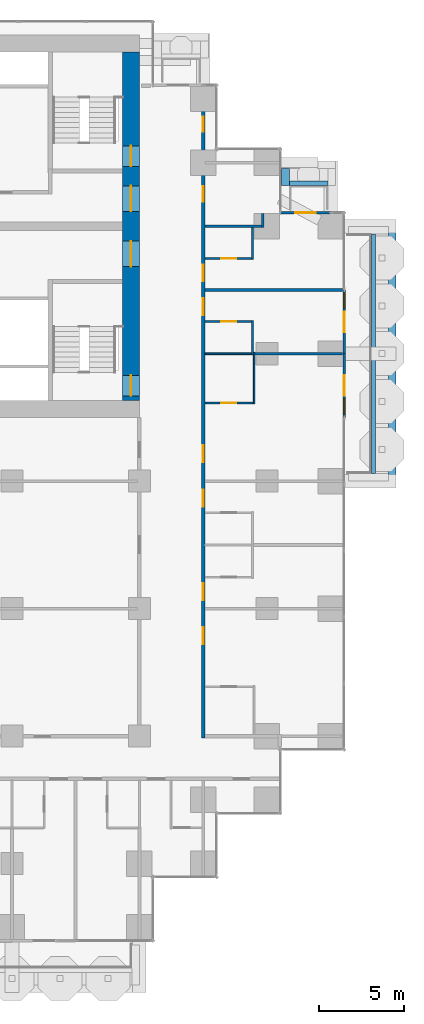
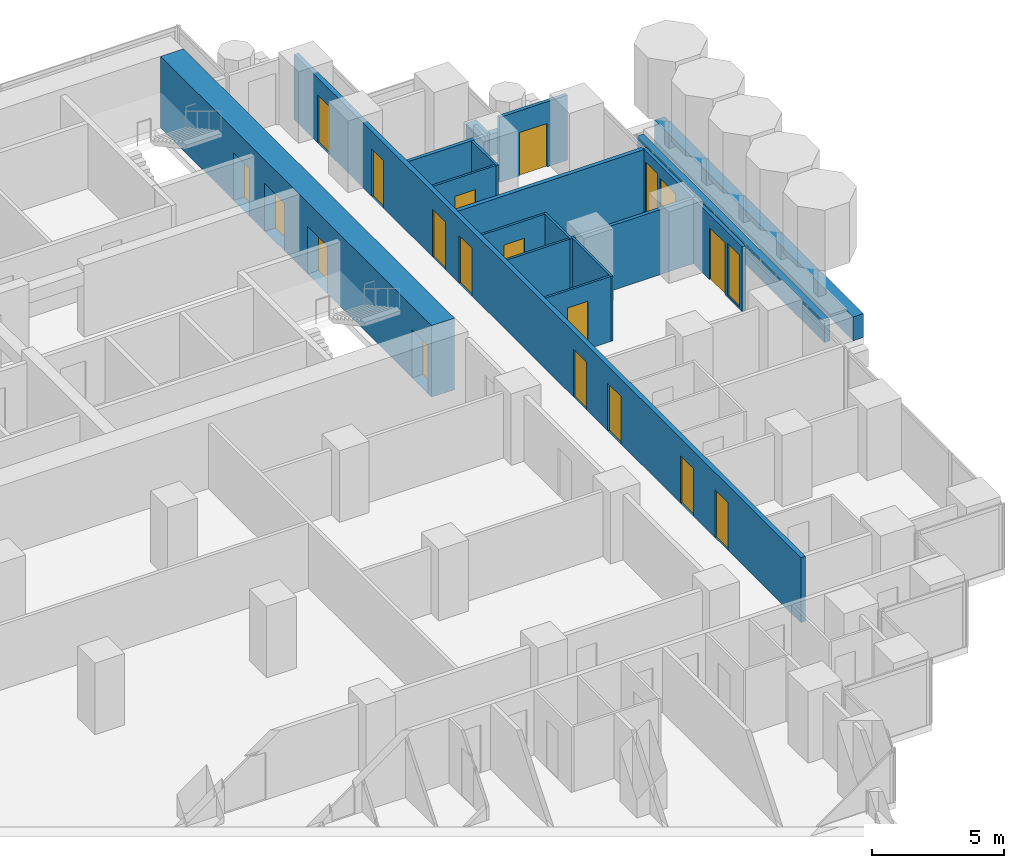
# One storey, part 16 of 20: 20 walls, 18 doors, 2 windows, 20 openings.
"""IFC4 building model written with IfcOpenShell, lengths in metres."""

from ifc_helpers import new_model, si_unit, direction, frame, frame_2d, origin, place, context, subcontext, project, spatial, rectangle, extrude, material, layer, layer_set, type_object, element, fill, save


model = new_model("IFC4")

# Units and contexts
model_context = context("Model", 3, precision=1e-05, world=origin(), true_north=direction((0.0, 1.0)))
body_context = subcontext(model_context, "Body", "Model", "MODEL_VIEW")
ifc_project = project(units=[si_unit("LENGTHUNIT", "METRE"), si_unit("AREAUNIT", "SQUARE_METRE"), si_unit("VOLUMEUNIT", "CUBIC_METRE"), si_unit("PLANEANGLEUNIT", "RADIAN"), si_unit("MASSUNIT", "GRAM", prefix="KILO")], contexts=[model_context])

# Site, building, storey
site_placement = place(None, origin())
site = spatial("IfcSite", under=ifc_project, at=site_placement, CompositionType="ELEMENT")
building_placement = place(site_placement, origin())
building = spatial("IfcBuilding", under=site, at=building_placement, Name="Pilkhan Gate Tower", CompositionType="ELEMENT")
storey_placement = place(building_placement, frame((0.0, 0.0, 85.699951171875)))
storey = spatial("IfcBuildingStorey", under=building, at=storey_placement, Name="L20", CompositionType="ELEMENT", Elevation=85.699951171875)

# Walls
ifc_material_1 = material(Name="Dense blockwork", Category="masonry")
ifc_layer_1 = layer(ifc_material_1, 0.175048828125)
ifc_layer_set_1 = layer_set([ifc_layer_1], Name="Acoustic party wall PW175")
wall_type_1 = type_object("IfcWallType", Name="Acoustic party wall PW175", PredefinedType="PARTITIONING", material=ifc_layer_set_1)
wall_1_placement = place(storey_placement, frame((93.85009765625, 78.75, 0.0), z_axis=(0.0, 0.0, 1.0), x_axis=(1.0, 0.0, 0.0)))
element("IfcWall", 1, at=wall_1_placement, inside=storey, type_object=wall_type_1, Name="Partition L20", PredefinedType="PARTITIONING", context=body_context, shape_type="SweptSolid", body=[
    extrude(rectangle(XDim=8.10986328125, YDim=0.175048828125, at=frame_2d((4.054931640625, 0.0))), origin(), (0.0, 0.0, 1.0), 3.0),
])
ifc_material_2 = material(Name="Concrete C40/50", Category="concrete")
ifc_layer_2 = layer(ifc_material_2, 0.25)
ifc_layer_set_2 = layer_set([ifc_layer_2], Name="Balcony planter BP250")
wall_type_2 = type_object("IfcWallType", Name="Balcony planter BP250", PredefinedType="USERDEFINED", material=ifc_layer_set_2)
wall_2_placement = place(storey_placement, frame((103.77490234375, 67.949951171875, 0.0), z_axis=(0.0, 0.0, 1.0), x_axis=(0.0, 1.0, 0.0)))
element("IfcWall", 2, at=wall_2_placement, inside=storey, type_object=wall_type_2, Name="Balcony planter L20 E", ObjectType="BALCONY PLANTER", PredefinedType="USERDEFINED", context=body_context, shape_type="SweptSolid", body=[
    extrude(rectangle(XDim=14.10009765625, YDim=0.25, at=frame_2d((7.050048828125, 0.0))), origin(), (0.0, 0.0, 1.0), 1.0),
])
wall_3_placement = place(storey_placement, frame((98.820068359375, 85.02490234375, 0.0), z_axis=(0.0, 0.0, 1.0), x_axis=(1.0, 0.0, 0.0)))
element("IfcWall", 3, at=wall_3_placement, inside=storey, type_object=wall_type_2, Name="Balcony planter L20 N", ObjectType="BALCONY PLANTER", PredefinedType="USERDEFINED", context=body_context, shape_type="SweptSolid", body=[
    extrude(rectangle(XDim=2.280029296875, YDim=0.25, at=frame_2d((1.14013671875, 0.0))), origin(), (0.0, 0.0, 1.0), 1.0),
])
ifc_material_3 = material(Name="Board-marked Concrete C40/50", Category="concrete")
ifc_layer_3 = layer(ifc_material_3, 0.449951171875)
ifc_layer_set_3 = layer_set([ifc_layer_3], Name="Balcony planter lip BL450")
wall_type_3 = type_object("IfcWallType", Name="Balcony planter lip BL450", PredefinedType="USERDEFINED", material=ifc_layer_set_3)
wall_4_placement = place(storey_placement, frame((104.875, 67.5, 0.0), z_axis=(0.0, 0.0, 1.0), x_axis=(0.0, 1.0, 0.0)))
element("IfcWall", 4, at=wall_4_placement, inside=storey, type_object=wall_type_3, Name="Balcony planter L20 E", ObjectType="BALCONY PLANTER", PredefinedType="USERDEFINED", context=body_context, shape_type="SweptSolid", body=[
    extrude(rectangle(XDim=15.0, YDim=0.449951171875, at=frame_2d((7.5, 0.0))), origin(), (0.0, 0.0, 1.0), 1.10009765625),
])
wall_5_placement = place(storey_placement, frame((98.594970703125, 84.89990234375, 0.0), z_axis=(0.0, 0.0, 1.0), x_axis=(0.0, 1.0, 0.0)))
element("IfcWall", 5, at=wall_5_placement, inside=storey, type_object=wall_type_3, Name="Balcony planter L20 N", ObjectType="BALCONY PLANTER", PredefinedType="USERDEFINED", context=body_context, shape_type="SweptSolid", body=[
    extrude(rectangle(XDim=1.0, YDim=0.449951171875, at=frame_2d((0.5, 0.0))), origin(), (0.0, 0.0, 1.0), 1.10009765625),
])

# Wall, openings, doors
ifc_material_4 = material(Name="Concrete C70/85", Category="concrete")
ifc_layer_4 = layer(ifc_material_4, 1.0)
ifc_layer_set_4 = layer_set([ifc_layer_4], Name="Core wall CW1000 C70/85")
wall_type_4 = type_object("IfcWallType", Name="Core wall CW1000 C70/85", PredefinedType="SHEAR", material=ifc_layer_set_4)
wall_6_placement = place(storey_placement, frame((89.5, 72.25, 0.0), z_axis=(0.0, 0.0, 1.0), x_axis=(0.0, 1.0, 0.0)))
wall_6 = element("IfcWall", 6, at=wall_6_placement, inside=storey, type_object=wall_type_4, Name="Core wall E L20", PredefinedType="SHEAR", context=body_context, shape_type="SweptSolid", body=[
    extrude(rectangle(XDim=20.5, YDim=1.0, at=frame_2d((10.25, 0.0))), origin(), (0.0, 0.0, 1.0), 3.300048828125),
])
opening_1_placement = place(wall_6_placement, frame((0.27490234375, 0.0, 0.0)))
opening_1 = element("IfcOpeningElement", 7, at=opening_1_placement, cuts=wall_6, Name="Opening L20-03", PredefinedType="OPENING", context=body_context, shape_type="SweptSolid", body=[
    extrude(rectangle(XDim=1.199951171875, YDim=2.199951171875, at=frame_2d((0.60009765625, 1.10009765625))), frame((0.0, 0.510009765625, 0.0), z_axis=(0.0, -1.0, 0.0), x_axis=(1.0, 0.0, 0.0)), (0.0, 0.0, 1.0), 1.02001953125),
])
opening_2_placement = place(wall_6_placement, frame((13.77490234375, 0.0, 0.0)))
opening_2 = element("IfcOpeningElement", 8, at=opening_2_placement, cuts=wall_6, Name="Opening L20-05", PredefinedType="OPENING", context=body_context, shape_type="SweptSolid", body=[
    extrude(rectangle(XDim=1.199951171875, YDim=2.199951171875, at=frame_2d((0.60009765625, 1.10009765625))), frame((0.0, 0.510009765625, 0.0), z_axis=(0.0, -1.0, 0.0), x_axis=(1.0, 0.0, 0.0)), (0.0, 0.0, 1.0), 1.02001953125),
])
opening_3_placement = place(wall_6_placement, frame((7.875, 0.0, 0.0)))
opening_3 = element("IfcOpeningElement", 9, at=opening_3_placement, cuts=wall_6, Name="Opening L20-54", PredefinedType="OPENING", context=body_context, shape_type="SweptSolid", body=[
    extrude(rectangle(XDim=1.5, YDim=2.199951171875, at=frame_2d((0.75, 1.10009765625))), frame((0.0, 0.510009765625, 0.0), z_axis=(0.0, -1.0, 0.0), x_axis=(1.0, 0.0, 0.0)), (0.0, 0.0, 1.0), 1.02001953125),
])
opening_4_placement = place(wall_6_placement, frame((11.125, 0.0, 0.0)))
opening_4 = element("IfcOpeningElement", 10, at=opening_4_placement, cuts=wall_6, Name="Opening L20-56", PredefinedType="OPENING", context=body_context, shape_type="SweptSolid", body=[
    extrude(rectangle(XDim=1.5, YDim=2.199951171875, at=frame_2d((0.75, 1.10009765625))), frame((0.0, 0.510009765625, 0.0), z_axis=(0.0, -1.0, 0.0), x_axis=(1.0, 0.0, 0.0)), (0.0, 0.0, 1.0), 1.02001953125),
])
ifc_material_5 = material(Name="Steel framed glazed door, 60 minute fire resisting", Category="steel")
door_type_1 = type_object("IfcDoorType", Name="Lobby door D09 1500x2200", OperationType="DOUBLE_DOOR_SINGLE_SWING", PredefinedType="DOOR", material=ifc_material_5)
door_1_placement = place(opening_3_placement, origin())
door_1 = element("IfcDoor", 11, at=door_1_placement, inside=storey, type_object=door_type_1, Name="Core door", OperationType="DOUBLE_DOOR_SINGLE_SWING", OverallHeight=2.199951171875, OverallWidth=1.5, PredefinedType="DOOR", context=body_context, shape_type="SweptSolid", body=[
    extrude(rectangle(XDim=1.5, YDim=2.199951171875, at=frame_2d((0.75, 1.10009765625))), frame((0.0, 0.02490234375, 0.0), z_axis=(0.0, -1.0, 0.0), x_axis=(1.0, 0.0, 0.0)), (0.0, 0.0, 1.0), 0.050048828125),
])
fill(opening_3, door_1)
door_2_placement = place(opening_4_placement, origin())
door_2 = element("IfcDoor", 12, at=door_2_placement, inside=storey, type_object=door_type_1, Name="Core door", OperationType="DOUBLE_DOOR_SINGLE_SWING", OverallHeight=2.199951171875, OverallWidth=1.5, PredefinedType="DOOR", context=body_context, shape_type="SweptSolid", body=[
    extrude(rectangle(XDim=1.5, YDim=2.199951171875, at=frame_2d((0.75, 1.10009765625))), frame((0.0, 0.02490234375, 0.0), z_axis=(0.0, -1.0, 0.0), x_axis=(1.0, 0.0, 0.0)), (0.0, 0.0, 1.0), 0.050048828125),
])
fill(opening_4, door_2)
ifc_material_6 = material(Name="Steel door, 120 minute fire resisting, panic bar", Category="steel")
door_type_2 = type_object("IfcDoorType", Name="Stair door D11 1200x2200", OperationType="SINGLE_SWING_LEFT", PredefinedType="DOOR", material=ifc_material_6)
door_3_placement = place(opening_1_placement, origin())
door_3 = element("IfcDoor", 13, at=door_3_placement, inside=storey, type_object=door_type_2, Name="Stair ST1 door", OperationType="SINGLE_SWING_RIGHT", OverallHeight=2.199951171875, OverallWidth=1.199951171875, PredefinedType="DOOR", context=body_context, shape_type="SweptSolid", body=[
    extrude(rectangle(XDim=1.199951171875, YDim=2.199951171875, at=frame_2d((0.60009765625, 1.10009765625))), frame((0.0, 0.02490234375, 0.0), z_axis=(0.0, -1.0, 0.0), x_axis=(1.0, 0.0, 0.0)), (0.0, 0.0, 1.0), 0.050048828125),
])
fill(opening_1, door_3)
door_4_placement = place(opening_2_placement, origin())
door_4 = element("IfcDoor", 14, at=door_4_placement, inside=storey, type_object=door_type_2, Name="Stair ST4 door", OperationType="SINGLE_SWING_LEFT", OverallHeight=2.199951171875, OverallWidth=1.199951171875, PredefinedType="DOOR", context=body_context, shape_type="SweptSolid", body=[
    extrude(rectangle(XDim=1.199951171875, YDim=2.199951171875, at=frame_2d((0.60009765625, 1.10009765625))), frame((0.0, 0.02490234375, 0.0), z_axis=(0.0, -1.0, 0.0), x_axis=(1.0, 0.0, 0.0)), (0.0, 0.0, 1.0), 0.050048828125),
])
fill(opening_2, door_4)

ifc_layer_5 = layer(ifc_material_1, 0.199951171875)
ifc_layer_set_5 = layer_set([ifc_layer_5], Name="Corridor wall FW200")
wall_type_5 = type_object("IfcWallType", Name="Corridor wall FW200", PredefinedType="PARTITIONING", material=ifc_layer_set_5)
wall_7_placement = place(storey_placement, frame((93.75, 52.39990234375, 0.0), z_axis=(0.0, 0.0, 1.0), x_axis=(0.0, 1.0, 0.0)))
wall_7 = element("IfcWall", 15, at=wall_7_placement, inside=storey, type_object=wall_type_5, Name="Partition L20", PredefinedType="PARTITIONING", context=body_context, shape_type="SweptSolid", body=[
    extrude(rectangle(XDim=38.31005859375, YDim=0.199951171875, at=frame_2d((19.155029296875, 0.0))), origin(), (0.0, 0.0, 1.0), 3.0),
])
opening_5_placement = place(wall_7_placement, frame((5.5, 0.0, 0.0)))
opening_5 = element("IfcOpeningElement", 16, at=opening_5_placement, cuts=wall_7, Name="Opening L20-42", PredefinedType="OPENING", context=body_context, shape_type="SweptSolid", body=[
    extrude(rectangle(XDim=1.0, YDim=2.199951171875, at=frame_2d((0.5, 1.10009765625))), frame((0.0, 0.10986328125, 0.0), z_axis=(0.0, -1.0, 0.0), x_axis=(1.0, 0.0, 0.0)), (0.0, 0.0, 1.0), 0.219970703125),
])
opening_6_placement = place(wall_7_placement, frame((8.10009765625, 0.0, 0.0)))
opening_6 = element("IfcOpeningElement", 17, at=opening_6_placement, cuts=wall_7, Name="Opening L20-44", PredefinedType="OPENING", context=body_context, shape_type="SweptSolid", body=[
    extrude(rectangle(XDim=1.0, YDim=2.199951171875, at=frame_2d((0.5, 1.10009765625))), frame((0.0, 0.10986328125, 0.0), z_axis=(0.0, -1.0, 0.0), x_axis=(1.0, 0.0, 0.0)), (0.0, 0.0, 1.0), 0.219970703125),
])
opening_7_placement = place(wall_7_placement, frame((13.60009765625, 0.0, 0.0)))
opening_7 = element("IfcOpeningElement", 18, at=opening_7_placement, cuts=wall_7, Name="Opening L20-46", PredefinedType="OPENING", context=body_context, shape_type="SweptSolid", body=[
    extrude(rectangle(XDim=1.0, YDim=2.199951171875, at=frame_2d((0.5, 1.10009765625))), frame((0.0, 0.10986328125, 0.0), z_axis=(0.0, -1.0, 0.0), x_axis=(1.0, 0.0, 0.0)), (0.0, 0.0, 1.0), 0.219970703125),
])
opening_8_placement = place(wall_7_placement, frame((16.199951171875, 0.0, 0.0)))
opening_8 = element("IfcOpeningElement", 19, at=opening_8_placement, cuts=wall_7, Name="Opening L20-48", PredefinedType="OPENING", context=body_context, shape_type="SweptSolid", body=[
    extrude(rectangle(XDim=1.0, YDim=2.199951171875, at=frame_2d((0.5, 1.10009765625))), frame((0.0, 0.10986328125, 0.0), z_axis=(0.0, -1.0, 0.0), x_axis=(1.0, 0.0, 0.0)), (0.0, 0.0, 1.0), 0.219970703125),
])
opening_9_placement = place(wall_7_placement, frame((24.85009765625, 0.0, 0.0)))
opening_9 = element("IfcOpeningElement", 20, at=opening_9_placement, cuts=wall_7, Name="Opening L20-50", PredefinedType="OPENING", context=body_context, shape_type="SweptSolid", body=[
    extrude(rectangle(XDim=1.0, YDim=2.199951171875, at=frame_2d((0.5, 1.10009765625))), frame((0.0, 0.10986328125, 0.0), z_axis=(0.0, -1.0, 0.0), x_axis=(1.0, 0.0, 0.0)), (0.0, 0.0, 1.0), 0.219970703125),
])
opening_10_placement = place(wall_7_placement, frame((26.85009765625, 0.0, 0.0)))
opening_10 = element("IfcOpeningElement", 21, at=opening_10_placement, cuts=wall_7, Name="Opening L20-52", PredefinedType="OPENING", context=body_context, shape_type="SweptSolid", body=[
    extrude(rectangle(XDim=1.0, YDim=2.199951171875, at=frame_2d((0.5, 1.10009765625))), frame((0.0, 0.10986328125, 0.0), z_axis=(0.0, -1.0, 0.0), x_axis=(1.0, 0.0, 0.0)), (0.0, 0.0, 1.0), 0.219970703125),
])
opening_11_placement = place(wall_7_placement, frame((31.550048828125, 0.0, 0.0)))
opening_11 = element("IfcOpeningElement", 22, at=opening_11_placement, cuts=wall_7, Name="Opening L20-62", PredefinedType="OPENING", context=body_context, shape_type="SweptSolid", body=[
    extrude(rectangle(XDim=0.89990234375, YDim=2.199951171875, at=frame_2d((0.449951171875, 1.10009765625))), frame((0.0, 0.10986328125, 0.0), z_axis=(0.0, -1.0, 0.0), x_axis=(1.0, 0.0, 0.0)), (0.0, 0.0, 1.0), 0.219970703125),
])
opening_12_placement = place(wall_7_placement, frame((35.64990234375, 0.0, 0.0)))
opening_12 = element("IfcOpeningElement", 23, at=opening_12_placement, cuts=wall_7, Name="Opening L20-63", PredefinedType="OPENING", context=body_context, shape_type="SweptSolid", body=[
    extrude(rectangle(XDim=0.89990234375, YDim=2.199951171875, at=frame_2d((0.449951171875, 1.10009765625))), frame((0.0, 0.10986328125, 0.0), z_axis=(0.0, -1.0, 0.0), x_axis=(1.0, 0.0, 0.0)), (0.0, 0.0, 1.0), 0.219970703125),
])
ifc_material_7 = material(Name="Timber flush door, 30 minute fire resisting", Category="wood")
door_type_3 = type_object("IfcDoorType", Name="Guest room door D01 1000x2200", OperationType="SINGLE_SWING_LEFT", PredefinedType="DOOR", material=ifc_material_7)
door_5_placement = place(opening_5_placement, origin())
door_5 = element("IfcDoor", 24, at=door_5_placement, inside=storey, type_object=door_type_3, Name="Guest room door", OperationType="SINGLE_SWING_LEFT", OverallHeight=2.199951171875, OverallWidth=1.0, PredefinedType="DOOR", context=body_context, shape_type="SweptSolid", body=[
    extrude(rectangle(XDim=1.0, YDim=2.199951171875, at=frame_2d((0.5, 1.10009765625))), frame((0.0, 0.02490234375, 0.0), z_axis=(0.0, -1.0, 0.0), x_axis=(1.0, 0.0, 0.0)), (0.0, 0.0, 1.0), 0.050048828125),
])
fill(opening_5, door_5)
door_6_placement = place(opening_6_placement, origin())
door_6 = element("IfcDoor", 25, at=door_6_placement, inside=storey, type_object=door_type_3, Name="Guest room door", OperationType="SINGLE_SWING_LEFT", OverallHeight=2.199951171875, OverallWidth=1.0, PredefinedType="DOOR", context=body_context, shape_type="SweptSolid", body=[
    extrude(rectangle(XDim=1.0, YDim=2.199951171875, at=frame_2d((0.5, 1.10009765625))), frame((0.0, 0.02490234375, 0.0), z_axis=(0.0, -1.0, 0.0), x_axis=(1.0, 0.0, 0.0)), (0.0, 0.0, 1.0), 0.050048828125),
])
fill(opening_6, door_6)
door_7_placement = place(opening_7_placement, origin())
door_7 = element("IfcDoor", 26, at=door_7_placement, inside=storey, type_object=door_type_3, Name="Guest room door", OperationType="SINGLE_SWING_RIGHT", OverallHeight=2.199951171875, OverallWidth=1.0, PredefinedType="DOOR", context=body_context, shape_type="SweptSolid", body=[
    extrude(rectangle(XDim=1.0, YDim=2.199951171875, at=frame_2d((0.5, 1.10009765625))), frame((0.0, 0.02490234375, 0.0), z_axis=(0.0, -1.0, 0.0), x_axis=(1.0, 0.0, 0.0)), (0.0, 0.0, 1.0), 0.050048828125),
])
fill(opening_7, door_7)
door_8_placement = place(opening_8_placement, origin())
door_8 = element("IfcDoor", 27, at=door_8_placement, inside=storey, type_object=door_type_3, Name="Guest room door", OperationType="SINGLE_SWING_LEFT", OverallHeight=2.199951171875, OverallWidth=1.0, PredefinedType="DOOR", context=body_context, shape_type="SweptSolid", body=[
    extrude(rectangle(XDim=1.0, YDim=2.199951171875, at=frame_2d((0.5, 1.10009765625))), frame((0.0, 0.02490234375, 0.0), z_axis=(0.0, -1.0, 0.0), x_axis=(1.0, 0.0, 0.0)), (0.0, 0.0, 1.0), 0.050048828125),
])
fill(opening_8, door_8)
door_9_placement = place(opening_9_placement, origin())
door_9 = element("IfcDoor", 28, at=door_9_placement, inside=storey, type_object=door_type_3, Name="Guest room door", OperationType="SINGLE_SWING_LEFT", OverallHeight=2.199951171875, OverallWidth=1.0, PredefinedType="DOOR", context=body_context, shape_type="SweptSolid", body=[
    extrude(rectangle(XDim=1.0, YDim=2.199951171875, at=frame_2d((0.5, 1.10009765625))), frame((0.0, 0.02490234375, 0.0), z_axis=(0.0, -1.0, 0.0), x_axis=(1.0, 0.0, 0.0)), (0.0, 0.0, 1.0), 0.050048828125),
])
fill(opening_9, door_9)
door_10_placement = place(opening_10_placement, origin())
door_10 = element("IfcDoor", 29, at=door_10_placement, inside=storey, type_object=door_type_3, Name="Guest room door", OperationType="SINGLE_SWING_LEFT", OverallHeight=2.199951171875, OverallWidth=1.0, PredefinedType="DOOR", context=body_context, shape_type="SweptSolid", body=[
    extrude(rectangle(XDim=1.0, YDim=2.199951171875, at=frame_2d((0.5, 1.10009765625))), frame((0.0, 0.02490234375, 0.0), z_axis=(0.0, -1.0, 0.0), x_axis=(1.0, 0.0, 0.0)), (0.0, 0.0, 1.0), 0.050048828125),
])
fill(opening_10, door_10)
ifc_material_8 = material(Name="Timber flush door, 60 minute fire resisting, self-closing", Category="wood")
door_type_4 = type_object("IfcDoorType", Name="Store door D05 900x2200", OperationType="SINGLE_SWING_LEFT", PredefinedType="DOOR", material=ifc_material_8)
door_11_placement = place(opening_11_placement, origin())
door_11 = element("IfcDoor", 30, at=door_11_placement, inside=storey, type_object=door_type_4, Name="Store door", OperationType="SINGLE_SWING_LEFT", OverallHeight=2.199951171875, OverallWidth=0.89990234375, PredefinedType="DOOR", context=body_context, shape_type="SweptSolid", body=[
    extrude(rectangle(XDim=0.89990234375, YDim=2.199951171875, at=frame_2d((0.449951171875, 1.10009765625))), frame((0.0, 0.02490234375, 0.0), z_axis=(0.0, -1.0, 0.0), x_axis=(1.0, 0.0, 0.0)), (0.0, 0.0, 1.0), 0.050048828125),
])
fill(opening_11, door_11)
door_12_placement = place(opening_12_placement, origin())
door_12 = element("IfcDoor", 31, at=door_12_placement, inside=storey, type_object=door_type_4, Name="Store door", OperationType="SINGLE_SWING_RIGHT", OverallHeight=2.199951171875, OverallWidth=0.89990234375, PredefinedType="DOOR", context=body_context, shape_type="SweptSolid", body=[
    extrude(rectangle(XDim=0.89990234375, YDim=2.199951171875, at=frame_2d((0.449951171875, 1.10009765625))), frame((0.0, 0.02490234375, 0.0), z_axis=(0.0, -1.0, 0.0), x_axis=(1.0, 0.0, 0.0)), (0.0, 0.0, 1.0), 0.050048828125),
])
fill(opening_12, door_12)

# Wall, openings, door, window
ifc_material_9 = material(Name="Pale anodised aluminium, clear laminated glazing", Category="aluminium")
ifc_layer_6 = layer(ifc_material_9, 0.14990234375)
ifc_layer_set_6 = layer_set([ifc_layer_6], Name="Facade infill wall IW150")
wall_type_6 = type_object("IfcWallType", Name="Facade infill wall IW150", PredefinedType="SOLIDWALL", material=ifc_layer_set_6)
wall_8_placement = place(storey_placement, frame((102.044921875, 71.25, 0.0), z_axis=(0.0, 0.0, 1.0), x_axis=(0.0, 1.0, 0.0)))
wall_8 = element("IfcWall", 32, at=wall_8_placement, inside=storey, type_object=wall_type_6, Name="Infill wall L20 E", PredefinedType="SOLIDWALL", context=body_context, shape_type="SweptSolid", body=[
    extrude(rectangle(XDim=3.75, YDim=0.14990234375, at=frame_2d((1.875, 0.0))), origin(), (0.0, 0.0, 1.0), 3.0),
])
opening_13_placement = place(wall_8_placement, frame((0.1875, 0.0, 0.10009765625)))
opening_13 = element("IfcOpeningElement", 33, at=opening_13_placement, cuts=wall_8, Name="Opening W1", PredefinedType="OPENING", context=body_context, shape_type="SweptSolid", body=[
    extrude(rectangle(XDim=0.89990234375, YDim=2.39990234375, at=frame_2d((0.449951171875, 1.199951171875))), frame((0.0, 0.0849609375, 0.0), z_axis=(0.0, -1.0, 0.0), x_axis=(1.0, 0.0, 0.0)), (0.0, 0.0, 1.0), 0.169921875),
])
opening_14_placement = place(wall_8_placement, frame((1.27490234375, 0.0, 0.0)))
opening_14 = element("IfcOpeningElement", 34, at=opening_14_placement, cuts=wall_8, Name="Opening D1", PredefinedType="OPENING", context=body_context, shape_type="SweptSolid", body=[
    extrude(rectangle(XDim=1.199951171875, YDim=2.39990234375, at=frame_2d((0.60009765625, 1.199951171875))), frame((0.0, 0.0849609375, 0.0), z_axis=(0.0, -1.0, 0.0), x_axis=(1.0, 0.0, 0.0)), (0.0, 0.0, 1.0), 0.169921875),
])
ifc_material_10 = material(Name="Pale anodised aluminium, clear glazing", Category="aluminium")
door_type_5 = type_object("IfcDoorType", Name="Balcony door D1 1200x2400", OperationType="SINGLE_SWING_LEFT", PredefinedType="DOOR", material=ifc_material_10)
door_13_placement = place(opening_14_placement, origin())
door_13 = element("IfcDoor", 35, at=door_13_placement, inside=storey, type_object=door_type_5, Name="Balcony door L20", OperationType="SINGLE_SWING_LEFT", OverallHeight=2.39990234375, OverallWidth=1.199951171875, PredefinedType="DOOR", context=body_context, shape_type="SweptSolid", body=[
    extrude(rectangle(XDim=1.199951171875, YDim=2.39990234375, at=frame_2d((0.60009765625, 1.199951171875))), frame((0.0, 0.02490234375, 0.0), z_axis=(0.0, -1.0, 0.0), x_axis=(1.0, 0.0, 0.0)), (0.0, 0.0, 1.0), 0.050048828125),
])
fill(opening_14, door_13)
ifc_material_11 = material(Name="Pale anodised aluminium, clear double glazing", Category="aluminium")
window_type = type_object("IfcWindowType", Name="Window W1 900x2400", PartitioningType="SINGLE_PANEL", PredefinedType="WINDOW", material=ifc_material_11)
window_1_placement = place(opening_13_placement, origin())
window_1 = element("IfcWindow", 36, at=window_1_placement, inside=storey, type_object=window_type, Name="Window L20", OverallHeight=2.39990234375, OverallWidth=0.89990234375, PartitioningType="SINGLE_PANEL", PredefinedType="WINDOW", context=body_context, shape_type="SweptSolid", body=[
    extrude(rectangle(XDim=0.89990234375, YDim=2.39990234375, at=frame_2d((0.449951171875, 1.199951171875))), frame((0.0, 0.030029296875, 0.0), z_axis=(0.0, -1.0, 0.0), x_axis=(1.0, 0.0, 0.0)), (0.0, 0.0, 1.0), 0.06005859375),
])
fill(opening_13, window_1)

wall_9_placement = place(storey_placement, frame((102.044921875, 75.0, 0.0), z_axis=(0.0, 0.0, 1.0), x_axis=(0.0, 1.0, 0.0)))
wall_9 = element("IfcWall", 37, at=wall_9_placement, inside=storey, type_object=wall_type_6, Name="Infill wall L20 E", PredefinedType="SOLIDWALL", context=body_context, shape_type="SweptSolid", body=[
    extrude(rectangle(XDim=3.75, YDim=0.14990234375, at=frame_2d((1.875, 0.0))), origin(), (0.0, 0.0, 1.0), 3.0),
])
opening_15_placement = place(wall_9_placement, frame((1.27490234375, 0.0, 0.0)))
opening_15 = element("IfcOpeningElement", 38, at=opening_15_placement, cuts=wall_9, Name="Opening D1", PredefinedType="OPENING", context=body_context, shape_type="SweptSolid", body=[
    extrude(rectangle(XDim=1.199951171875, YDim=2.39990234375, at=frame_2d((0.60009765625, 1.199951171875))), frame((0.0, 0.0849609375, 0.0), z_axis=(0.0, -1.0, 0.0), x_axis=(1.0, 0.0, 0.0)), (0.0, 0.0, 1.0), 0.169921875),
])
opening_16_placement = place(wall_9_placement, frame((2.66259765625, 0.0, 0.10009765625)))
opening_16 = element("IfcOpeningElement", 39, at=opening_16_placement, cuts=wall_9, Name="Opening W1", PredefinedType="OPENING", context=body_context, shape_type="SweptSolid", body=[
    extrude(rectangle(XDim=0.89990234375, YDim=2.39990234375, at=frame_2d((0.449951171875, 1.199951171875))), frame((0.0, 0.0849609375, 0.0), z_axis=(0.0, -1.0, 0.0), x_axis=(1.0, 0.0, 0.0)), (0.0, 0.0, 1.0), 0.169921875),
])
door_14_placement = place(opening_15_placement, origin())
door_14 = element("IfcDoor", 40, at=door_14_placement, inside=storey, type_object=door_type_5, Name="Balcony door L20", OperationType="SINGLE_SWING_LEFT", OverallHeight=2.39990234375, OverallWidth=1.199951171875, PredefinedType="DOOR", context=body_context, shape_type="SweptSolid", body=[
    extrude(rectangle(XDim=1.199951171875, YDim=2.39990234375, at=frame_2d((0.60009765625, 1.199951171875))), frame((0.0, 0.02490234375, 0.0), z_axis=(0.0, -1.0, 0.0), x_axis=(1.0, 0.0, 0.0)), (0.0, 0.0, 1.0), 0.050048828125),
])
fill(opening_15, door_14)
window_2_placement = place(opening_16_placement, origin())
window_2 = element("IfcWindow", 41, at=window_2_placement, inside=storey, type_object=window_type, Name="Window L20", OverallHeight=2.39990234375, OverallWidth=0.89990234375, PartitioningType="SINGLE_PANEL", PredefinedType="WINDOW", context=body_context, shape_type="SweptSolid", body=[
    extrude(rectangle(XDim=0.89990234375, YDim=2.39990234375, at=frame_2d((0.449951171875, 1.199951171875))), frame((0.0, 0.030029296875, 0.0), z_axis=(0.0, -1.0, 0.0), x_axis=(1.0, 0.0, 0.0)), (0.0, 0.0, 1.0), 0.06005859375),
])
fill(opening_16, window_2)

# Wall, opening, door
wall_10_placement = place(storey_placement, frame((98.294921875, 83.294921875, 0.0), z_axis=(0.0, 0.0, 1.0), x_axis=(1.0, 0.0, 0.0)))
wall_10 = element("IfcWall", 42, at=wall_10_placement, inside=storey, type_object=wall_type_6, Name="Infill wall L20 N", PredefinedType="SOLIDWALL", context=body_context, shape_type="SweptSolid", body=[
    extrude(rectangle(XDim=2.955078125, YDim=0.14990234375, at=frame_2d((1.4775390625, 0.0))), origin(), (0.0, 0.0, 1.0), 3.0),
])
opening_17_placement = place(wall_10_placement, frame((0.87744140625, 0.0, 0.0)))
opening_17 = element("IfcOpeningElement", 43, at=opening_17_placement, cuts=wall_10, Name="Opening D1L", PredefinedType="OPENING", context=body_context, shape_type="SweptSolid", body=[
    extrude(rectangle(XDim=1.199951171875, YDim=2.0, at=frame_2d((0.60009765625, 1.0))), frame((0.0, 0.0849609375, 0.0), z_axis=(0.0, -1.0, 0.0), x_axis=(1.0, 0.0, 0.0)), (0.0, 0.0, 1.0), 0.169921875),
])
door_type_6 = type_object("IfcDoorType", Name="Balcony door D1L 1200x2000", OperationType="SINGLE_SWING_LEFT", PredefinedType="DOOR", material=ifc_material_10)
door_15_placement = place(opening_17_placement, origin())
door_15 = element("IfcDoor", 44, at=door_15_placement, inside=storey, type_object=door_type_6, Name="Balcony door L20", OperationType="SINGLE_SWING_LEFT", OverallHeight=2.0, OverallWidth=1.199951171875, PredefinedType="DOOR", context=body_context, shape_type="SweptSolid", body=[
    extrude(rectangle(XDim=1.199951171875, YDim=2.0, at=frame_2d((0.60009765625, 1.0))), frame((0.0, 0.02490234375, 0.0), z_axis=(0.0, -1.0, 0.0), x_axis=(1.0, 0.0, 0.0)), (0.0, 0.0, 1.0), 0.050048828125),
])
fill(opening_17, door_15)

# Walls
ifc_material_12 = material(Name="Blockwork partition, plastered both sides", Category="masonry")
ifc_layer_7 = layer(ifc_material_12, 0.14990234375)
ifc_layer_set_7 = layer_set([ifc_layer_7], Name="Partition PW150")
wall_type_7 = type_object("IfcWallType", Name="Partition PW150", PredefinedType="PARTITIONING", material=ifc_layer_set_7)
wall_11_placement = place(storey_placement, frame((96.800048828125, 75.0, 0.0), z_axis=(0.0, 0.0, 1.0), x_axis=(1.0, 0.0, 0.0)))
element("IfcWall", 45, at=wall_11_placement, inside=storey, type_object=wall_type_7, Name="Partition L20", PredefinedType="PARTITIONING", context=body_context, shape_type="SweptSolid", body=[
    extrude(rectangle(XDim=5.159912109375, YDim=0.14990234375, at=frame_2d((2.580078125, 0.0))), origin(), (0.0, 0.0, 1.0), 3.0),
])
wall_12_placement = place(storey_placement, frame((93.85009765625, 82.5, 0.0), z_axis=(0.0, 0.0, 1.0), x_axis=(1.0, 0.0, 0.0)))
element("IfcWall", 46, at=wall_12_placement, inside=storey, type_object=wall_type_7, Name="Partition L20", PredefinedType="PARTITIONING", context=body_context, shape_type="SweptSolid", body=[
    extrude(rectangle(XDim=3.33984375, YDim=0.14990234375, at=frame_2d((1.669921875, 0.0))), origin(), (0.0, 0.0, 1.0), 3.0),
])
wall_13_placement = place(storey_placement, frame((97.264892578125, 82.425048828125, 0.0), z_axis=(0.0, 0.0, 1.0), x_axis=(0.0, 1.0, 0.0)))
element("IfcWall", 47, at=wall_13_placement, inside=storey, type_object=wall_type_7, Name="Partition L20", PredefinedType="PARTITIONING", context=body_context, shape_type="SweptSolid", body=[
    extrude(rectangle(XDim=0.83984375, YDim=0.14990234375, at=frame_2d((0.419921875, 0.0))), origin(), (0.0, 0.0, 1.0), 3.0),
])

# Wall, opening, door
ifc_material_13 = material(Name="Moisture resistant board, tiled")
ifc_layer_8 = layer(ifc_material_13, 0.10009765625)
ifc_layer_set_8 = layer_set([ifc_layer_8], Name="Wet wall PW100")
wall_type_8 = type_object("IfcWallType", Name="Wet wall PW100", PredefinedType="PARTITIONING", material=ifc_layer_set_8)
wall_14_placement = place(storey_placement, frame((93.85009765625, 72.10009765625, 0.0), z_axis=(0.0, 0.0, 1.0), x_axis=(1.0, 0.0, 0.0)))
wall_14 = element("IfcWall", 48, at=wall_14_placement, inside=storey, type_object=wall_type_8, Name="Partition L20", PredefinedType="PARTITIONING", context=body_context, shape_type="SweptSolid", body=[
    extrude(rectangle(XDim=2.849853515625, YDim=0.10009765625, at=frame_2d((1.4248046875, 0.0))), origin(), (0.0, 0.0, 1.0), 3.0),
])
opening_18_placement = place(wall_14_placement, frame((0.949951171875, 0.0, 0.0)))
opening_18 = element("IfcOpeningElement", 49, at=opening_18_placement, cuts=wall_14, Name="Opening L20-49", PredefinedType="OPENING", context=body_context, shape_type="SweptSolid", body=[
    extrude(rectangle(XDim=0.89990234375, YDim=2.199951171875, at=frame_2d((0.449951171875, 1.10009765625))), frame((0.0, 0.06005859375, 0.0), z_axis=(0.0, -1.0, 0.0), x_axis=(1.0, 0.0, 0.0)), (0.0, 0.0, 1.0), 0.1201171875),
])
ifc_material_14 = material(Name="Timber flush door", Category="wood")
door_type_7 = type_object("IfcDoorType", Name="Bathroom door D02 900x2200", OperationType="SINGLE_SWING_RIGHT", PredefinedType="DOOR", material=ifc_material_14)
door_16_placement = place(opening_18_placement, origin())
door_16 = element("IfcDoor", 50, at=door_16_placement, inside=storey, type_object=door_type_7, Name="Bathroom door", OperationType="SINGLE_SWING_RIGHT", OverallHeight=2.199951171875, OverallWidth=0.89990234375, PredefinedType="DOOR", context=body_context, shape_type="SweptSolid", body=[
    extrude(rectangle(XDim=0.89990234375, YDim=2.199951171875, at=frame_2d((0.449951171875, 1.10009765625))), frame((0.0, 0.02490234375, 0.0), z_axis=(0.0, -1.0, 0.0), x_axis=(1.0, 0.0, 0.0)), (0.0, 0.0, 1.0), 0.050048828125),
])
fill(opening_18, door_16)

# Wall
wall_15_placement = place(storey_placement, frame((93.85009765625, 75.0, 0.0), z_axis=(0.0, 0.0, 1.0), x_axis=(1.0, 0.0, 0.0)))
element("IfcWall", 51, at=wall_15_placement, inside=storey, type_object=wall_type_8, Name="Partition L20", PredefinedType="PARTITIONING", context=body_context, shape_type="SweptSolid", body=[
    extrude(rectangle(XDim=2.75, YDim=0.10009765625, at=frame_2d((1.375, 0.0))), origin(), (0.0, 0.0, 1.0), 3.0),
])

# Wall, opening, door
wall_16_placement = place(storey_placement, frame((93.85009765625, 76.89990234375, 0.0), z_axis=(0.0, 0.0, 1.0), x_axis=(1.0, 0.0, 0.0)))
wall_16 = element("IfcWall", 52, at=wall_16_placement, inside=storey, type_object=wall_type_8, Name="Partition L20", PredefinedType="PARTITIONING", context=body_context, shape_type="SweptSolid", body=[
    extrude(rectangle(XDim=2.75, YDim=0.10009765625, at=frame_2d((1.375, 0.0))), origin(), (0.0, 0.0, 1.0), 3.0),
])
opening_19_placement = place(wall_16_placement, frame((0.949951171875, 0.0, 0.0)))
opening_19 = element("IfcOpeningElement", 53, at=opening_19_placement, cuts=wall_16, Name="Opening L20-51", PredefinedType="OPENING", context=body_context, shape_type="SweptSolid", body=[
    extrude(rectangle(XDim=0.89990234375, YDim=2.199951171875, at=frame_2d((0.449951171875, 1.10009765625))), frame((0.0, 0.06005859375, 0.0), z_axis=(0.0, -1.0, 0.0), x_axis=(1.0, 0.0, 0.0)), (0.0, 0.0, 1.0), 0.1201171875),
])
door_17_placement = place(opening_19_placement, origin())
door_17 = element("IfcDoor", 54, at=door_17_placement, inside=storey, type_object=door_type_7, Name="Bathroom door", OperationType="SINGLE_SWING_RIGHT", OverallHeight=2.199951171875, OverallWidth=0.89990234375, PredefinedType="DOOR", context=body_context, shape_type="SweptSolid", body=[
    extrude(rectangle(XDim=0.89990234375, YDim=2.199951171875, at=frame_2d((0.449951171875, 1.10009765625))), frame((0.0, 0.02490234375, 0.0), z_axis=(0.0, -1.0, 0.0), x_axis=(1.0, 0.0, 0.0)), (0.0, 0.0, 1.0), 0.050048828125),
])
fill(opening_19, door_17)

wall_17_placement = place(storey_placement, frame((93.85009765625, 80.60009765625, 0.0), z_axis=(0.0, 0.0, 1.0), x_axis=(1.0, 0.0, 0.0)))
wall_17 = element("IfcWall", 55, at=wall_17_placement, inside=storey, type_object=wall_type_8, Name="Partition L20", PredefinedType="PARTITIONING", context=body_context, shape_type="SweptSolid", body=[
    extrude(rectangle(XDim=2.75, YDim=0.10009765625, at=frame_2d((1.375, 0.0))), origin(), (0.0, 0.0, 1.0), 3.0),
])
opening_20_placement = place(wall_17_placement, frame((0.949951171875, 0.0, 0.0)))
opening_20 = element("IfcOpeningElement", 56, at=opening_20_placement, cuts=wall_17, Name="Opening L20-53", PredefinedType="OPENING", context=body_context, shape_type="SweptSolid", body=[
    extrude(rectangle(XDim=0.89990234375, YDim=2.199951171875, at=frame_2d((0.449951171875, 1.10009765625))), frame((0.0, 0.06005859375, 0.0), z_axis=(0.0, -1.0, 0.0), x_axis=(1.0, 0.0, 0.0)), (0.0, 0.0, 1.0), 0.1201171875),
])
door_18_placement = place(opening_20_placement, origin())
door_18 = element("IfcDoor", 57, at=door_18_placement, inside=storey, type_object=door_type_7, Name="Bathroom door", OperationType="SINGLE_SWING_RIGHT", OverallHeight=2.199951171875, OverallWidth=0.89990234375, PredefinedType="DOOR", context=body_context, shape_type="SweptSolid", body=[
    extrude(rectangle(XDim=0.89990234375, YDim=2.199951171875, at=frame_2d((0.449951171875, 1.10009765625))), frame((0.0, 0.02490234375, 0.0), z_axis=(0.0, -1.0, 0.0), x_axis=(1.0, 0.0, 0.0)), (0.0, 0.0, 1.0), 0.050048828125),
])
fill(opening_20, door_18)

# Walls
wall_18_placement = place(storey_placement, frame((96.64990234375, 74.949951171875, 0.0), z_axis=(0.0, 0.0, 1.0), x_axis=(0.0, 1.0, 0.0)))
element("IfcWall", 58, at=wall_18_placement, inside=storey, type_object=wall_type_8, Name="Partition L20", PredefinedType="PARTITIONING", context=body_context, shape_type="SweptSolid", body=[
    extrude(rectangle(XDim=2.0, YDim=0.10009765625, at=frame_2d((1.0, 0.0))), origin(), (0.0, 0.0, 1.0), 3.0),
])
wall_19_placement = place(storey_placement, frame((96.64990234375, 80.550048828125, 0.0), z_axis=(0.0, 0.0, 1.0), x_axis=(0.0, 1.0, 0.0)))
element("IfcWall", 59, at=wall_19_placement, inside=storey, type_object=wall_type_8, Name="Partition L20", PredefinedType="PARTITIONING", context=body_context, shape_type="SweptSolid", body=[
    extrude(rectangle(XDim=1.875, YDim=0.10009765625, at=frame_2d((0.9375, 0.0))), origin(), (0.0, 0.0, 1.0), 3.0),
])
wall_20_placement = place(storey_placement, frame((96.75, 72.050048828125, 0.0), z_axis=(0.0, 0.0, 1.0), x_axis=(0.0, 1.0, 0.0)))
element("IfcWall", 60, at=wall_20_placement, inside=storey, type_object=wall_type_8, Name="Partition L20", PredefinedType="PARTITIONING", context=body_context, shape_type="SweptSolid", body=[
    extrude(rectangle(XDim=3.02490234375, YDim=0.10009765625, at=frame_2d((1.512451171875, 0.0))), origin(), (0.0, 0.0, 1.0), 3.0),
])

save(model, "model.ifc")
